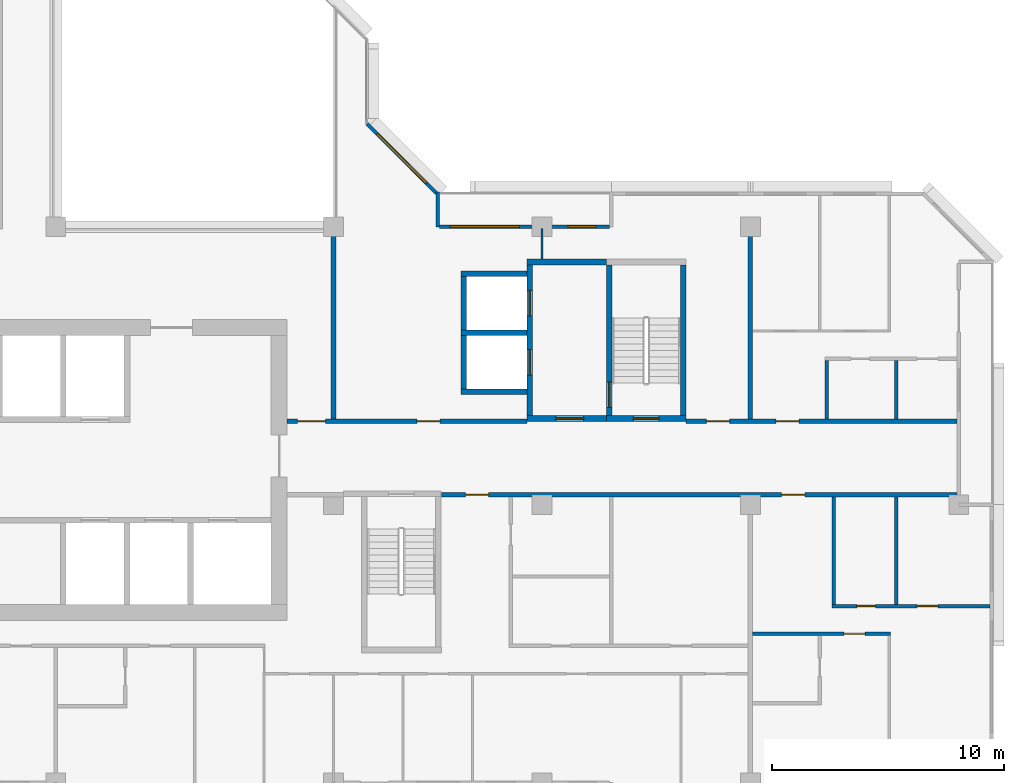
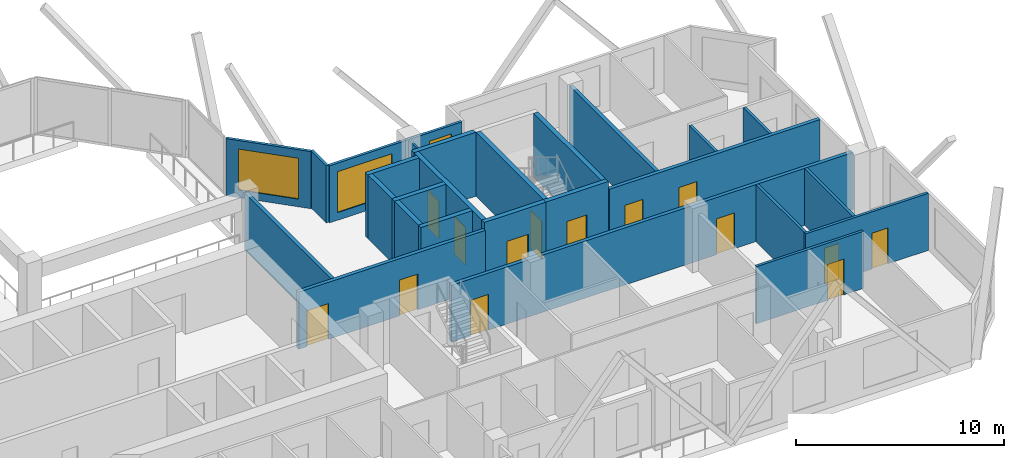
# One storey, part 7 of 14: 26 walls, 14 doors, 3 windows, 17 openings.
"""IFC4 building model written with IfcOpenShell, lengths in metres."""

from ifc_helpers import new_model, si_unit, direction, frame, frame_2d, origin, place, context, subcontext, project, spatial, rectangle, extrude, material, layer, layer_set, type_object, element, fill, save


model = new_model("IFC4")

# Units and contexts
model_context = context("Model", 3, precision=1e-05, world=origin(), true_north=direction((0.0, 1.0)))
body_context = subcontext(model_context, "Body", "Model", "MODEL_VIEW")
ifc_project = project(units=[si_unit("LENGTHUNIT", "METRE"), si_unit("AREAUNIT", "SQUARE_METRE"), si_unit("VOLUMEUNIT", "CUBIC_METRE"), si_unit("PLANEANGLEUNIT", "RADIAN"), si_unit("MASSUNIT", "GRAM", prefix="KILO")], contexts=[model_context])

# Site, building, storey
site_placement = place(None, origin())
site = spatial("IfcSite", under=ifc_project, at=site_placement, CompositionType="ELEMENT")
building_placement = place(site_placement, origin())
building = spatial("IfcBuilding", under=site, at=building_placement, Name="Chenar Terraces", CompositionType="ELEMENT")
storey_placement = place(building_placement, frame((0.0, 0.0, 226.64990234375)))
storey = spatial("IfcBuildingStorey", under=building, at=storey_placement, Name="L53", CompositionType="ELEMENT", Elevation=226.64990234375)

# Wall, opening, door
ifc_material_1 = material(Name="Concrete C60/75", Category="concrete")
ifc_layer_1 = layer(ifc_material_1, 0.25)
ifc_layer_set_1 = layer_set([ifc_layer_1], Name="Concrete C60/75")
wall_type_1 = type_object("IfcWallType", Name="Core wall 250 Concrete C60/75", PredefinedType="SHEAR", material=ifc_layer_set_1)
wall_1_placement = place(storey_placement, frame((47.77490234375, 15.72509765625, 0.0), z_axis=(0.0, 0.0, 1.0), x_axis=(1.0, 0.0, 0.0)))
wall_1 = element("IfcWall", 1, at=wall_1_placement, inside=storey, type_object=wall_type_1, Name="Core wall ST3_S L53", PredefinedType="SHEAR", context=body_context, shape_type="SweptSolid", body=[
    extrude(rectangle(XDim=3.4501953125, YDim=0.25, at=frame_2d((1.72509765625, 0.0))), origin(), (0.0, 0.0, 1.0), 3.75),
])
opening_1_placement = place(wall_1_placement, frame((1.175048828125, 0.0, 0.0)))
opening_1 = element("IfcOpeningElement", 2, at=opening_1_placement, cuts=wall_1, Name="Opening DL53-C8", PredefinedType="OPENING", context=body_context, shape_type="SweptSolid", body=[
    extrude(rectangle(XDim=1.10009765625, YDim=2.199951171875, at=frame_2d((0.550048828125, 1.10009765625))), frame((0.0, 0.135009765625, 0.0), z_axis=(0.0, -1.0, 0.0), x_axis=(1.0, 0.0, 0.0)), (0.0, 0.0, 1.0), 0.27001953125),
])
ifc_material_2 = material(Name="Steel-framed fire-resisting door leaf", Category="steel")
door_type_1 = type_object("IfcDoorType", Name="Stair fire door FD60 1100 x 2200", OperationType="SINGLE_SWING_LEFT", PredefinedType="DOOR", material=ifc_material_2)
door_1_placement = place(opening_1_placement, frame((1.10009765625, 0.0, 0.0), z_axis=(0.0, 0.0, 1.0), x_axis=(-1.0, 0.0, 0.0)))
door_1 = element("IfcDoor", 3, at=door_1_placement, inside=storey, type_object=door_type_1, Name="Stair door DL53-C8", OperationType="SINGLE_SWING_LEFT", OverallHeight=2.199951171875, OverallWidth=1.10009765625, PredefinedType="DOOR", context=body_context, shape_type="SweptSolid", body=[
    extrude(rectangle(XDim=1.10009765625, YDim=2.199951171875, at=frame_2d((0.550048828125, 1.10009765625))), frame((0.0, 0.02490234375, 0.0), z_axis=(0.0, -1.0, 0.0), x_axis=(1.0, 0.0, 0.0)), (0.0, 0.0, 1.0), 0.050048828125),
])
fill(opening_1, door_1)

wall_2_placement = place(storey_placement, frame((47.89990234375, 15.85009765625, 0.0), z_axis=(0.0, 0.0, 1.0), x_axis=(0.0, 1.0, 0.0)))
wall_2 = element("IfcWall", 4, at=wall_2_placement, inside=storey, type_object=wall_type_1, Name="Core wall ST3_W L53", PredefinedType="SHEAR", context=body_context, shape_type="SweptSolid", body=[
    extrude(rectangle(XDim=6.5, YDim=0.25, at=frame_2d((3.25, 0.0))), origin(), (0.0, 0.0, 1.0), 3.75),
])
opening_2_placement = place(wall_2_placement, frame((0.35009765625, 0.0, 0.0)))
opening_2 = element("IfcOpeningElement", 5, at=opening_2_placement, cuts=wall_2, Name="Opening DL53-C11", PredefinedType="OPENING", context=body_context, shape_type="SweptSolid", body=[
    extrude(rectangle(XDim=1.10009765625, YDim=2.199951171875, at=frame_2d((0.550048828125, 1.10009765625))), frame((0.0, 0.135009765625, 0.0), z_axis=(0.0, -1.0, 0.0), x_axis=(1.0, 0.0, 0.0)), (0.0, 0.0, 1.0), 0.27001953125),
])
door_2_placement = place(opening_2_placement, frame((1.10009765625, 0.0, 0.0), z_axis=(0.0, 0.0, 1.0), x_axis=(-1.0, 0.0, 0.0)))
door_2 = element("IfcDoor", 6, at=door_2_placement, inside=storey, type_object=door_type_1, Name="Stair door DL53-C11", OperationType="SINGLE_SWING_RIGHT", OverallHeight=2.199951171875, OverallWidth=1.10009765625, PredefinedType="DOOR", context=body_context, shape_type="SweptSolid", body=[
    extrude(rectangle(XDim=1.10009765625, YDim=2.199951171875, at=frame_2d((0.550048828125, 1.10009765625))), frame((0.0, 0.02490234375, 0.0), z_axis=(0.0, -1.0, 0.0), x_axis=(1.0, 0.0, 0.0)), (0.0, 0.0, 1.0), 0.050048828125),
])
fill(opening_2, door_2)

# Wall
wall_3_placement = place(storey_placement, frame((51.10009765625, 15.85009765625, 0.0), z_axis=(0.0, 0.0, 1.0), x_axis=(0.0, 1.0, 0.0)))
element("IfcWall", 7, at=wall_3_placement, inside=storey, type_object=wall_type_1, Name="Core wall ST3_E L53", PredefinedType="SHEAR", context=body_context, shape_type="SweptSolid", body=[
    extrude(rectangle(XDim=6.5, YDim=0.25, at=frame_2d((3.25, 0.0))), origin(), (0.0, 0.0, 1.0), 3.75),
])

# Wall, opening, door
wall_4_placement = place(storey_placement, frame((44.35009765625, 15.72509765625, 0.0), z_axis=(0.0, 0.0, 1.0), x_axis=(1.0, 0.0, 0.0)))
wall_4 = element("IfcWall", 8, at=wall_4_placement, inside=storey, type_object=wall_type_1, Name="Core wall F3_LS L53", PredefinedType="SHEAR", context=body_context, shape_type="SweptSolid", body=[
    extrude(rectangle(XDim=3.4248046875, YDim=0.25, at=frame_2d((1.71240234375, 0.0))), origin(), (0.0, 0.0, 1.0), 3.75),
])
opening_3_placement = place(wall_4_placement, frame((1.25, 0.0, 0.0)))
opening_3 = element("IfcOpeningElement", 9, at=opening_3_placement, cuts=wall_4, Name="Opening DL53-C10", PredefinedType="OPENING", context=body_context, shape_type="SweptSolid", body=[
    extrude(rectangle(XDim=1.199951171875, YDim=2.199951171875, at=frame_2d((0.60009765625, 1.10009765625))), frame((0.0, 0.135009765625, 0.0), z_axis=(0.0, -1.0, 0.0), x_axis=(1.0, 0.0, 0.0)), (0.0, 0.0, 1.0), 0.27001953125),
])
ifc_material_3 = material(Name="Steel-framed fire-resisting door leaf", Category="steel")
door_type_2 = type_object("IfcDoorType", Name="Lobby fire door FD60 1200 x 2200", OperationType="SINGLE_SWING_LEFT", PredefinedType="DOOR", material=ifc_material_3)
door_3_placement = place(opening_3_placement, origin())
door_3 = element("IfcDoor", 10, at=door_3_placement, inside=storey, type_object=door_type_2, Name="Core door DL53-C10", OperationType="SINGLE_SWING_RIGHT", OverallHeight=2.199951171875, OverallWidth=1.199951171875, PredefinedType="DOOR", context=body_context, shape_type="SweptSolid", body=[
    extrude(rectangle(XDim=1.199951171875, YDim=2.199951171875, at=frame_2d((0.60009765625, 1.10009765625))), frame((0.0, 0.02490234375, 0.0), z_axis=(0.0, -1.0, 0.0), x_axis=(1.0, 0.0, 0.0)), (0.0, 0.0, 1.0), 0.050048828125),
])
fill(opening_3, door_3)

# Wall
wall_5_placement = place(storey_placement, frame((44.35009765625, 22.47509765625, 0.0), z_axis=(0.0, 0.0, 1.0), x_axis=(1.0, 0.0, 0.0)))
element("IfcWall", 11, at=wall_5_placement, inside=storey, type_object=wall_type_1, Name="Core wall F3_LN L53", PredefinedType="SHEAR", context=body_context, shape_type="SweptSolid", body=[
    extrude(rectangle(XDim=3.4248046875, YDim=0.25, at=frame_2d((1.71240234375, 0.0))), origin(), (0.0, 0.0, 1.0), 3.75),
])

# Wall, openings, doors
wall_6_placement = place(storey_placement, frame((44.47509765625, 15.85009765625, 0.0), z_axis=(0.0, 0.0, 1.0), x_axis=(0.0, 1.0, 0.0)))
wall_6 = element("IfcWall", 12, at=wall_6_placement, inside=storey, type_object=wall_type_1, Name="Core wall F3_LW L53", PredefinedType="SHEAR", context=body_context, shape_type="SweptSolid", body=[
    extrude(rectangle(XDim=6.5, YDim=0.25, at=frame_2d((3.25, 0.0))), origin(), (0.0, 0.0, 1.0), 3.75),
])
opening_4_placement = place(wall_6_placement, frame((1.75, 0.0, 0.0)))
opening_4 = element("IfcOpeningElement", 13, at=opening_4_placement, cuts=wall_6, Name="Opening DL53-LD8", PredefinedType="OPENING", context=body_context, shape_type="SweptSolid", body=[
    extrude(rectangle(XDim=1.10009765625, YDim=2.199951171875, at=frame_2d((0.550048828125, 1.10009765625))), frame((0.0, 0.135009765625, 0.0), z_axis=(0.0, -1.0, 0.0), x_axis=(1.0, 0.0, 0.0)), (0.0, 0.0, 1.0), 0.27001953125),
])
opening_5_placement = place(wall_6_placement, frame((4.300048828125, 0.0, 0.0)))
opening_5 = element("IfcOpeningElement", 14, at=opening_5_placement, cuts=wall_6, Name="Opening DL53-LD9", PredefinedType="OPENING", context=body_context, shape_type="SweptSolid", body=[
    extrude(rectangle(XDim=1.10009765625, YDim=2.199951171875, at=frame_2d((0.550048828125, 1.10009765625))), frame((0.0, 0.135009765625, 0.0), z_axis=(0.0, -1.0, 0.0), x_axis=(1.0, 0.0, 0.0)), (0.0, 0.0, 1.0), 0.27001953125),
])
ifc_material_4 = material(Name="Stainless steel", Category="steel")
door_type_3 = type_object("IfcDoorType", Name="Lift landing door 1100 x 2200 sliding", OperationType="DOUBLE_DOOR_SLIDING", PredefinedType="DOOR", material=ifc_material_4)
door_4_placement = place(opening_4_placement, origin())
door_4 = element("IfcDoor", 15, at=door_4_placement, inside=storey, type_object=door_type_3, Name="Landing door F3", OperationType="DOUBLE_DOOR_SLIDING", OverallHeight=2.199951171875, OverallWidth=1.10009765625, PredefinedType="DOOR", context=body_context, shape_type="SweptSolid", body=[
    extrude(rectangle(XDim=1.10009765625, YDim=2.199951171875, at=frame_2d((0.550048828125, 1.10009765625))), frame((0.0, 0.02490234375, 0.0), z_axis=(0.0, -1.0, 0.0), x_axis=(1.0, 0.0, 0.0)), (0.0, 0.0, 1.0), 0.050048828125),
])
fill(opening_4, door_4)
door_5_placement = place(opening_5_placement, origin())
door_5 = element("IfcDoor", 16, at=door_5_placement, inside=storey, type_object=door_type_3, Name="Landing door F4", OperationType="DOUBLE_DOOR_SLIDING", OverallHeight=2.199951171875, OverallWidth=1.10009765625, PredefinedType="DOOR", context=body_context, shape_type="SweptSolid", body=[
    extrude(rectangle(XDim=1.10009765625, YDim=2.199951171875, at=frame_2d((0.550048828125, 1.10009765625))), frame((0.0, 0.02490234375, 0.0), z_axis=(0.0, -1.0, 0.0), x_axis=(1.0, 0.0, 0.0)), (0.0, 0.0, 1.0), 0.050048828125),
])
fill(opening_5, door_5)

# Walls
for number, where, z_axis, x_axis, name in (
    (17, (41.5, 16.875, 0.0), (0.0, 0.0, 1.0), (1.0, 0.0, 0.0), "Core wall F3_SS L53"),
    (18, (41.5, 19.425048828125, 0.0), (0.0, 0.0, 1.0), (1.0, 0.0, 0.0), "Core wall F3_SM L53"),
    (19, (41.5, 21.97509765625, 0.0), (0.0, 0.0, 1.0), (1.0, 0.0, 0.0), "Core wall F4_SN L53"),
):
    element("IfcWall", number, at=place(storey_placement, frame(where, z_axis=z_axis, x_axis=x_axis)), inside=storey, type_object=wall_type_1, Name=name, PredefinedType="SHEAR", context=body_context, shape_type="SweptSolid", body=[
        extrude(rectangle(XDim=2.85009765625, YDim=0.25, at=frame_2d((1.425048828125, 0.0))), origin(), (0.0, 0.0, 1.0), 3.75),
    ])
for number, where, z_axis, x_axis, name in (
    (20, (41.625, 17.0, 0.0), (0.0, 0.0, 1.0), (0.0, 1.0, 0.0), "Core wall F3_SW L53"),
    (21, (41.625, 19.550048828125, 0.0), (0.0, 0.0, 1.0), (0.0, 1.0, 0.0), "Core wall F4_SW L53"),
):
    element("IfcWall", number, at=place(storey_placement, frame(where, z_axis=z_axis, x_axis=x_axis)), inside=storey, type_object=wall_type_1, Name=name, PredefinedType="SHEAR", context=body_context, shape_type="SweptSolid", body=[
        extrude(rectangle(XDim=2.300048828125, YDim=0.25, at=frame_2d((1.14990234375, 0.0))), origin(), (0.0, 0.0, 1.0), 3.75),
    ])

# Wall, openings, doors
ifc_material_5 = material(Name="Gypsum board on steel studs with fire boards", Category="steel")
ifc_layer_2 = layer(ifc_material_5, 0.199951171875)
ifc_layer_set_2 = layer_set([ifc_layer_2], Name="Gypsum board on steel studs with fire boards")
wall_type_2 = type_object("IfcWallType", Name="Corridor wall 200", PredefinedType="PARTITIONING", material=ifc_layer_set_2)
wall_7_placement = place(storey_placement, frame((34.0, 15.60009765625, 0.0), z_axis=(0.0, 0.0, 1.0), x_axis=(1.0, 0.0, 0.0)))
wall_7 = element("IfcWall", 22, at=wall_7_placement, inside=storey, type_object=wall_type_2, Name="Partition L53-059", PredefinedType="PARTITIONING", context=body_context, shape_type="SweptSolid", body=[
    extrude(rectangle(XDim=10.35009765625, YDim=0.199951171875, at=frame_2d((5.175048828125, 0.0))), origin(), (0.0, 0.0, 1.0), 3.35009765625),
])
opening_6_placement = place(wall_7_placement, frame((5.60009765625, 0.0, 0.0)))
opening_6 = element("IfcOpeningElement", 23, at=opening_6_placement, cuts=wall_7, Name="Opening DL53-3", PredefinedType="OPENING", context=body_context, shape_type="SweptSolid", body=[
    extrude(rectangle(XDim=1.0, YDim=2.10009765625, at=frame_2d((0.5, 1.050048828125))), frame((0.0, 0.10986328125, 0.0), z_axis=(0.0, -1.0, 0.0), x_axis=(1.0, 0.0, 0.0)), (0.0, 0.0, 1.0), 0.219970703125),
])
opening_7_placement = place(wall_7_placement, frame((0.449951171875, 0.0, 0.0)))
opening_7 = element("IfcOpeningElement", 24, at=opening_7_placement, cuts=wall_7, Name="Opening DL53-38", PredefinedType="OPENING", context=body_context, shape_type="SweptSolid", body=[
    extrude(rectangle(XDim=1.199951171875, YDim=2.10009765625, at=frame_2d((0.60009765625, 1.050048828125))), frame((0.0, 0.10986328125, 0.0), z_axis=(0.0, -1.0, 0.0), x_axis=(1.0, 0.0, 0.0)), (0.0, 0.0, 1.0), 0.219970703125),
])
ifc_material_6 = material(Name="Steel-framed fire-resisting door leaf", Category="steel")
door_type_4 = type_object("IfcDoorType", Name="Fire door FD60 1000 x 2100", OperationType="SINGLE_SWING_LEFT", PredefinedType="DOOR", material=ifc_material_6)
door_6_placement = place(opening_6_placement, origin())
door_6 = element("IfcDoor", 25, at=door_6_placement, inside=storey, type_object=door_type_4, Name="Door DL53-3", OperationType="SINGLE_SWING_RIGHT", OverallHeight=2.10009765625, OverallWidth=1.0, PredefinedType="DOOR", context=body_context, shape_type="SweptSolid", body=[
    extrude(rectangle(XDim=1.0, YDim=2.10009765625, at=frame_2d((0.5, 1.050048828125))), frame((0.0, 0.02490234375, 0.0), z_axis=(0.0, -1.0, 0.0), x_axis=(1.0, 0.0, 0.0)), (0.0, 0.0, 1.0), 0.050048828125),
])
fill(opening_6, door_6)
ifc_material_7 = material(Name="Steel-framed fire-resisting door leaf", Category="steel")
door_type_5 = type_object("IfcDoorType", Name="Fire door FD60 1200 x 2100", OperationType="SINGLE_SWING_LEFT", PredefinedType="DOOR", material=ifc_material_7)
door_7_placement = place(opening_7_placement, origin())
door_7 = element("IfcDoor", 26, at=door_7_placement, inside=storey, type_object=door_type_5, Name="Door DL53-38", OperationType="SINGLE_SWING_RIGHT", OverallHeight=2.10009765625, OverallWidth=1.199951171875, PredefinedType="DOOR", context=body_context, shape_type="SweptSolid", body=[
    extrude(rectangle(XDim=1.199951171875, YDim=2.10009765625, at=frame_2d((0.60009765625, 1.050048828125))), frame((0.0, 0.02490234375, 0.0), z_axis=(0.0, -1.0, 0.0), x_axis=(1.0, 0.0, 0.0)), (0.0, 0.0, 1.0), 0.050048828125),
])
fill(opening_7, door_7)

# Wall
wall_8_placement = place(storey_placement, frame((36.0, 15.699951171875, 0.0), z_axis=(0.0, 0.0, 1.0), x_axis=(0.0, 1.0, 0.0)))
element("IfcWall", 27, at=wall_8_placement, inside=storey, type_object=wall_type_2, Name="Partition L53-061", PredefinedType="PARTITIONING", context=body_context, shape_type="SweptSolid", body=[
    extrude(rectangle(XDim=8.300048828125, YDim=0.199951171875, at=frame_2d((4.14990234375, 0.0))), origin(), (0.0, 0.0, 1.0), 3.35009765625),
])

# Wall, openings, doors
wall_9_placement = place(storey_placement, frame((40.64990234375, 12.425048828125, 0.0), z_axis=(0.0, 0.0, 1.0), x_axis=(1.0, 0.0, 0.0)))
wall_9 = element("IfcWall", 28, at=wall_9_placement, inside=storey, type_object=wall_type_2, Name="Partition L53-063", PredefinedType="PARTITIONING", context=body_context, shape_type="SweptSolid", body=[
    extrude(rectangle(XDim=22.276123046875, YDim=0.199951171875, at=frame_2d((11.13818359375, 0.0))), origin(), (0.0, 0.0, 1.0), 3.35009765625),
])
opening_8_placement = place(wall_9_placement, frame((14.699951171875, 0.0, 0.0)))
opening_8 = element("IfcOpeningElement", 29, at=opening_8_placement, cuts=wall_9, Name="Opening DL53-13", PredefinedType="OPENING", context=body_context, shape_type="SweptSolid", body=[
    extrude(rectangle(XDim=1.0, YDim=2.10009765625, at=frame_2d((0.5, 1.050048828125))), frame((0.0, 0.10986328125, 0.0), z_axis=(0.0, -1.0, 0.0), x_axis=(1.0, 0.0, 0.0)), (0.0, 0.0, 1.0), 0.219970703125),
])
opening_9_placement = place(wall_9_placement, frame((1.050048828125, 0.0, 0.0)))
opening_9 = element("IfcOpeningElement", 30, at=opening_9_placement, cuts=wall_9, Name="Opening DL53-56", PredefinedType="OPENING", context=body_context, shape_type="SweptSolid", body=[
    extrude(rectangle(XDim=1.0, YDim=2.10009765625, at=frame_2d((0.5, 1.050048828125))), frame((0.0, 0.10986328125, 0.0), z_axis=(0.0, -1.0, 0.0), x_axis=(1.0, 0.0, 0.0)), (0.0, 0.0, 1.0), 0.219970703125),
])
ifc_material_8 = material(Name="Steel-framed fire-resisting door leaf", Category="steel")
door_type_6 = type_object("IfcDoorType", Name="Fire door FD30S 1000 x 2100", OperationType="SINGLE_SWING_LEFT", PredefinedType="DOOR", material=ifc_material_8)
door_8_placement = place(opening_8_placement, frame((1.0, 0.0, 0.0), z_axis=(0.0, 0.0, 1.0), x_axis=(-1.0, 0.0, 0.0)))
door_8 = element("IfcDoor", 31, at=door_8_placement, inside=storey, type_object=door_type_6, Name="Door DL53-13", OperationType="SINGLE_SWING_RIGHT", OverallHeight=2.10009765625, OverallWidth=1.0, PredefinedType="DOOR", context=body_context, shape_type="SweptSolid", body=[
    extrude(rectangle(XDim=1.0, YDim=2.10009765625, at=frame_2d((0.5, 1.050048828125))), frame((0.0, 0.02490234375, 0.0), z_axis=(0.0, -1.0, 0.0), x_axis=(1.0, 0.0, 0.0)), (0.0, 0.0, 1.0), 0.050048828125),
])
fill(opening_8, door_8)
door_9_placement = place(opening_9_placement, origin())
door_9 = element("IfcDoor", 32, at=door_9_placement, inside=storey, type_object=door_type_6, Name="Door DL53-56", OperationType="SINGLE_SWING_LEFT", OverallHeight=2.10009765625, OverallWidth=1.0, PredefinedType="DOOR", context=body_context, shape_type="SweptSolid", body=[
    extrude(rectangle(XDim=1.0, YDim=2.10009765625, at=frame_2d((0.5, 1.050048828125))), frame((0.0, 0.02490234375, 0.0), z_axis=(0.0, -1.0, 0.0), x_axis=(1.0, 0.0, 0.0)), (0.0, 0.0, 1.0), 0.050048828125),
])
fill(opening_9, door_9)

wall_10_placement = place(storey_placement, frame((51.22509765625, 15.60009765625, 0.0), z_axis=(0.0, 0.0, 1.0), x_axis=(1.0, 0.0, 0.0)))
wall_10 = element("IfcWall", 33, at=wall_10_placement, inside=storey, type_object=wall_type_2, Name="Partition L53-071", PredefinedType="PARTITIONING", context=body_context, shape_type="SweptSolid", body=[
    extrude(rectangle(XDim=11.700927734375, YDim=0.199951171875, at=frame_2d((5.8505859375, 0.0))), origin(), (0.0, 0.0, 1.0), 3.35009765625),
])
opening_10_placement = place(wall_10_placement, frame((3.875, 0.0, 0.0)))
opening_10 = element("IfcOpeningElement", 34, at=opening_10_placement, cuts=wall_10, Name="Opening DL53-8", PredefinedType="OPENING", context=body_context, shape_type="SweptSolid", body=[
    extrude(rectangle(XDim=1.0, YDim=2.10009765625, at=frame_2d((0.5, 1.050048828125))), frame((0.0, 0.10986328125, 0.0), z_axis=(0.0, -1.0, 0.0), x_axis=(1.0, 0.0, 0.0)), (0.0, 0.0, 1.0), 0.219970703125),
])
opening_11_placement = place(wall_10_placement, frame((0.875, 0.0, 0.0)))
opening_11 = element("IfcOpeningElement", 35, at=opening_11_placement, cuts=wall_10, Name="Opening DL53-42", PredefinedType="OPENING", context=body_context, shape_type="SweptSolid", body=[
    extrude(rectangle(XDim=1.0, YDim=2.10009765625, at=frame_2d((0.5, 1.050048828125))), frame((0.0, 0.10986328125, 0.0), z_axis=(0.0, -1.0, 0.0), x_axis=(1.0, 0.0, 0.0)), (0.0, 0.0, 1.0), 0.219970703125),
])
door_10_placement = place(opening_10_placement, origin())
door_10 = element("IfcDoor", 36, at=door_10_placement, inside=storey, type_object=door_type_6, Name="Door DL53-8", OperationType="SINGLE_SWING_LEFT", OverallHeight=2.10009765625, OverallWidth=1.0, PredefinedType="DOOR", context=body_context, shape_type="SweptSolid", body=[
    extrude(rectangle(XDim=1.0, YDim=2.10009765625, at=frame_2d((0.5, 1.050048828125))), frame((0.0, 0.02490234375, 0.0), z_axis=(0.0, -1.0, 0.0), x_axis=(1.0, 0.0, 0.0)), (0.0, 0.0, 1.0), 0.050048828125),
])
fill(opening_10, door_10)
door_11_placement = place(opening_11_placement, origin())
door_11 = element("IfcDoor", 37, at=door_11_placement, inside=storey, type_object=door_type_6, Name="Door DL53-42", OperationType="SINGLE_SWING_RIGHT", OverallHeight=2.10009765625, OverallWidth=1.0, PredefinedType="DOOR", context=body_context, shape_type="SweptSolid", body=[
    extrude(rectangle(XDim=1.0, YDim=2.10009765625, at=frame_2d((0.5, 1.050048828125))), frame((0.0, 0.02490234375, 0.0), z_axis=(0.0, -1.0, 0.0), x_axis=(1.0, 0.0, 0.0)), (0.0, 0.0, 1.0), 0.050048828125),
])
fill(opening_11, door_11)

# Wall, openings, windows
ifc_material_9 = material(Name="Aluminium framed glazing", Category="aluminium")
ifc_layer_3 = layer(ifc_material_9, 0.14990234375)
ifc_layer_set_3 = layer_set([ifc_layer_3], Name="Aluminium framed glazing")
wall_type_3 = type_object("IfcWallType", Name="Glazed loggia back wall 150", PredefinedType="SOLIDWALL", material=ifc_layer_set_3)
wall_11_placement = place(storey_placement, frame((47.925048828125, 24.0, 0.0), z_axis=(0.0, 0.0, 1.0), x_axis=(-1.0, 0.0, 0.0)))
wall_11 = element("IfcWall", 38, at=wall_11_placement, inside=storey, type_object=wall_type_3, Name="Glazed loggia back wall", PredefinedType="SOLIDWALL", context=body_context, shape_type="SweptSolid", body=[
    extrude(rectangle(XDim=7.35009765625, YDim=0.14990234375, at=frame_2d((3.675048828125, 0.0))), origin(), (0.0, 0.0, 1.0), 3.35009765625),
])
opening_12_placement = place(wall_11_placement, frame((0.60009765625, 0.0, 0.449951171875)))
opening_12 = element("IfcOpeningElement", 39, at=opening_12_placement, cuts=wall_11, Name="Opening W120x240", PredefinedType="OPENING", context=body_context, shape_type="SweptSolid", body=[
    extrude(rectangle(XDim=1.199951171875, YDim=2.39990234375, at=frame_2d((0.60009765625, 1.199951171875))), frame((0.0, 0.0849609375, 0.0), z_axis=(0.0, -1.0, 0.0), x_axis=(1.0, 0.0, 0.0)), (0.0, 0.0, 1.0), 0.169921875),
])
opening_13_placement = place(wall_11_placement, frame((3.89990234375, 0.0, 0.449951171875)))
opening_13 = element("IfcOpeningElement", 40, at=opening_13_placement, cuts=wall_11, Name="Opening W300x240", PredefinedType="OPENING", context=body_context, shape_type="SweptSolid", body=[
    extrude(rectangle(XDim=3.0, YDim=2.39990234375, at=frame_2d((1.5, 1.199951171875))), frame((0.0, 0.0849609375, 0.0), z_axis=(0.0, -1.0, 0.0), x_axis=(1.0, 0.0, 0.0)), (0.0, 0.0, 1.0), 0.169921875),
])
ifc_material_10 = material(Name="Low emissivity double glazing, aluminium frame", Category="aluminium")
window_type_1 = type_object("IfcWindowType", Name="Fixed light 1200 x 2400", PartitioningType="SINGLE_PANEL", PredefinedType="WINDOW", material=ifc_material_10)
window_1_placement = place(opening_12_placement, origin())
window_1 = element("IfcWindow", 41, at=window_1_placement, inside=storey, type_object=window_type_1, Name="Window", OverallHeight=2.39990234375, OverallWidth=1.199951171875, PartitioningType="SINGLE_PANEL", PredefinedType="WINDOW", context=body_context, shape_type="SweptSolid", body=[
    extrude(rectangle(XDim=1.199951171875, YDim=2.39990234375, at=frame_2d((0.60009765625, 1.199951171875))), frame((0.0, 0.030029296875, 0.0), z_axis=(0.0, -1.0, 0.0), x_axis=(1.0, 0.0, 0.0)), (0.0, 0.0, 1.0), 0.06005859375),
])
fill(opening_12, window_1)
ifc_material_11 = material(Name="Low emissivity double glazing, aluminium frame", Category="aluminium")
window_type_2 = type_object("IfcWindowType", Name="Fixed light 3000 x 2400", PartitioningType="SINGLE_PANEL", PredefinedType="WINDOW", material=ifc_material_11)
window_2_placement = place(opening_13_placement, origin())
window_2 = element("IfcWindow", 42, at=window_2_placement, inside=storey, type_object=window_type_2, Name="Window", OverallHeight=2.39990234375, OverallWidth=3.0, PartitioningType="SINGLE_PANEL", PredefinedType="WINDOW", context=body_context, shape_type="SweptSolid", body=[
    extrude(rectangle(XDim=3.0, YDim=2.39990234375, at=frame_2d((1.5, 1.199951171875))), frame((0.0, 0.030029296875, 0.0), z_axis=(0.0, -1.0, 0.0), x_axis=(1.0, 0.0, 0.0)), (0.0, 0.0, 1.0), 0.06005859375),
])
fill(opening_13, window_2)

# Walls
ifc_material_12 = material(Name="Gypsum board on steel studs", Category="steel")
ifc_layer_4 = layer(ifc_material_12, 0.10009765625)
ifc_layer_set_4 = layer_set([ifc_layer_4], Name="Gypsum board on steel studs")
wall_type_4 = type_object("IfcWallType", Name="Gypsum partition 100", PredefinedType="PARTITIONING", material=ifc_layer_set_4)
wall_12_placement = place(storey_placement, frame((45.0, 22.60009765625, 0.0), z_axis=(0.0, 0.0, 1.0), x_axis=(0.0, 1.0, 0.0)))
element("IfcWall", 43, at=wall_12_placement, inside=storey, type_object=wall_type_4, Name="Partition L53-068", PredefinedType="PARTITIONING", context=body_context, shape_type="SweptSolid", body=[
    extrude(rectangle(XDim=1.325927734375, YDim=0.10009765625, at=frame_2d((0.6630859375, 0.0))), origin(), (0.0, 0.0, 1.0), 3.35009765625),
])
ifc_material_13 = material(Name="Terracotta cladding on insulated backing", Category="masonry")
ifc_layer_5 = layer(ifc_material_13, 0.14990234375)
ifc_layer_set_5 = layer_set([ifc_layer_5], Name="Terracotta cladding on insulated backing")
wall_type_5 = type_object("IfcWallType", Name="Loggia return wall 150", PredefinedType="SOLIDWALL", material=ifc_layer_set_5)
wall_13_placement = place(storey_placement, frame((40.5, 25.5, 0.0), z_axis=(0.0, 0.0, 1.0), x_axis=(0.0, -1.0, 0.0)))
element("IfcWall", 44, at=wall_13_placement, inside=storey, type_object=wall_type_5, Name="Loggia return wall", PredefinedType="SOLIDWALL", context=body_context, shape_type="SweptSolid", body=[
    extrude(rectangle(XDim=1.5, YDim=0.14990234375, at=frame_2d((0.75, 0.0))), origin(), (0.0, 0.0, 1.0), 3.35009765625),
])

# Wall, opening, window
ifc_material_14 = material(Name="Terracotta cladding on insulated backing", Category="masonry")
ifc_layer_6 = layer(ifc_material_14, 0.14990234375)
ifc_layer_set_6 = layer_set([ifc_layer_6], Name="Terracotta cladding on insulated backing")
wall_type_6 = type_object("IfcWallType", Name="Terracotta rainscreen wall 150", PredefinedType="SOLIDWALL", material=ifc_layer_set_6)
wall_14_placement = place(storey_placement, frame((40.447021484375, 25.447021484375, 0.0), z_axis=(0.0, 0.0, 1.0), x_axis=(-0.707106781187, 0.707106781187, 0.0)))
wall_14 = element("IfcWall", 45, at=wall_14_placement, inside=storey, type_object=wall_type_6, Name="Terracotta rainscreen wall", PredefinedType="SOLIDWALL", context=body_context, shape_type="SweptSolid", body=[
    extrude(rectangle(XDim=4.24267578125, YDim=0.14990234375, at=frame_2d((2.121337890625, 0.0))), origin(), (0.0, 0.0, 1.0), 3.35009765625),
])
opening_14_placement = place(wall_14_placement, frame((0.621337890625, 0.0, 0.449951171875)))
opening_14 = element("IfcOpeningElement", 46, at=opening_14_placement, cuts=wall_14, Name="Opening W300x240", PredefinedType="OPENING", context=body_context, shape_type="SweptSolid", body=[
    extrude(rectangle(XDim=3.0, YDim=2.39990234375, at=frame_2d((1.5, 1.199951171875))), frame((0.0, 0.0849609375, 0.0), z_axis=(0.0, -1.0, 0.0), x_axis=(1.0, 0.0, 0.0)), (0.0, 0.0, 1.0), 0.169921875),
])
window_3_placement = place(opening_14_placement, origin())
window_3 = element("IfcWindow", 47, at=window_3_placement, inside=storey, type_object=window_type_2, Name="Window", OverallHeight=2.39990234375, OverallWidth=3.0, PartitioningType="SINGLE_PANEL", PredefinedType="WINDOW", context=body_context, shape_type="SweptSolid", body=[
    extrude(rectangle(XDim=3.0, YDim=2.39990234375, at=frame_2d((1.5, 1.199951171875))), frame((0.0, 0.030029296875, 0.0), z_axis=(0.0, -1.0, 0.0), x_axis=(1.0, 0.0, 0.0)), (0.0, 0.0, 1.0), 0.06005859375),
])
fill(opening_14, window_3)

# Wall
ifc_material_15 = material(Name="Twin gypsum board on steel studs with mineral wool", Category="steel")
ifc_layer_7 = layer(ifc_material_15, 0.199951171875)
ifc_layer_set_7 = layer_set([ifc_layer_7], Name="Twin gypsum board on steel studs with mineral wool")
wall_type_7 = type_object("IfcWallType", Name="Unit demising wall 200", PredefinedType="PARTITIONING", material=ifc_layer_set_7)
wall_15_placement = place(storey_placement, frame((54.0, 15.699951171875, 0.0), z_axis=(0.0, 0.0, 1.0), x_axis=(0.0, 1.0, 0.0)))
element("IfcWall", 48, at=wall_15_placement, inside=storey, type_object=wall_type_7, Name="Partition L53-073", PredefinedType="PARTITIONING", context=body_context, shape_type="SweptSolid", body=[
    extrude(rectangle(XDim=8.300048828125, YDim=0.199951171875, at=frame_2d((4.14990234375, 0.0))), origin(), (0.0, 0.0, 1.0), 3.35009765625),
])

# Wall, opening, door
ifc_material_16 = material(Name="Moisture-resistant gypsum board on steel studs", Category="steel")
ifc_layer_8 = layer(ifc_material_16, 0.14990234375)
ifc_layer_set_8 = layer_set([ifc_layer_8], Name="Moisture-resistant gypsum board on steel studs")
wall_type_8 = type_object("IfcWallType", Name="Wet-room partition 150", PredefinedType="PARTITIONING", material=ifc_layer_set_8)
wall_16_placement = place(storey_placement, frame((54.10009765625, 6.425048828125, 0.0), z_axis=(0.0, 0.0, 1.0), x_axis=(1.0, 0.0, 0.0)))
wall_16 = element("IfcWall", 49, at=wall_16_placement, inside=storey, type_object=wall_type_8, Name="Partition L53-075", PredefinedType="PARTITIONING", context=body_context, shape_type="SweptSolid", body=[
    extrude(rectangle(XDim=5.949951171875, YDim=0.14990234375, at=frame_2d((2.97509765625, 0.0))), origin(), (0.0, 0.0, 1.0), 3.35009765625),
])
opening_15_placement = place(wall_16_placement, frame((3.949951171875, 0.0, 0.0)))
opening_15 = element("IfcOpeningElement", 50, at=opening_15_placement, cuts=wall_16, Name="Opening DL53-10", PredefinedType="OPENING", context=body_context, shape_type="SweptSolid", body=[
    extrude(rectangle(XDim=0.89990234375, YDim=2.10009765625, at=frame_2d((0.449951171875, 1.050048828125))), frame((0.0, 0.0849609375, 0.0), z_axis=(0.0, -1.0, 0.0), x_axis=(1.0, 0.0, 0.0)), (0.0, 0.0, 1.0), 0.169921875),
])
ifc_material_17 = material(Name="Veneered timber door leaf", Category="wood")
door_type_7 = type_object("IfcDoorType", Name="Door 900 x 2100", OperationType="SINGLE_SWING_LEFT", PredefinedType="DOOR", material=ifc_material_17)
door_12_placement = place(opening_15_placement, frame((0.89990234375, 0.0, 0.0), z_axis=(0.0, 0.0, 1.0), x_axis=(-1.0, 0.0, 0.0)))
door_12 = element("IfcDoor", 51, at=door_12_placement, inside=storey, type_object=door_type_7, Name="Door DL53-10", OperationType="SINGLE_SWING_LEFT", OverallHeight=2.10009765625, OverallWidth=0.89990234375, PredefinedType="DOOR", context=body_context, shape_type="SweptSolid", body=[
    extrude(rectangle(XDim=0.89990234375, YDim=2.10009765625, at=frame_2d((0.449951171875, 1.050048828125))), frame((0.0, 0.02490234375, 0.0), z_axis=(0.0, -1.0, 0.0), x_axis=(1.0, 0.0, 0.0)), (0.0, 0.0, 1.0), 0.050048828125),
])
fill(opening_15, door_12)

# Wall
wall_17_placement = place(storey_placement, frame((57.300048828125, 15.699951171875, 0.0), z_axis=(0.0, 0.0, 1.0), x_axis=(0.0, 1.0, 0.0)))
element("IfcWall", 52, at=wall_17_placement, inside=storey, type_object=wall_type_8, Name="Partition L53-080", PredefinedType="PARTITIONING", context=body_context, shape_type="SweptSolid", body=[
    extrude(rectangle(XDim=2.525146484375, YDim=0.14990234375, at=frame_2d((1.2626953125, 0.0))), origin(), (0.0, 0.0, 1.0), 3.35009765625),
])

# Wall, openings, doors
wall_18_placement = place(storey_placement, frame((57.52490234375, 7.625, 0.0), z_axis=(0.0, 0.0, 1.0), x_axis=(1.0, 0.0, 0.0)))
wall_18 = element("IfcWall", 53, at=wall_18_placement, inside=storey, type_object=wall_type_8, Name="Partition L53-081", PredefinedType="PARTITIONING", context=body_context, shape_type="SweptSolid", body=[
    extrude(rectangle(XDim=6.8251953125, YDim=0.14990234375, at=frame_2d((3.41259765625, 0.0))), origin(), (0.0, 0.0, 1.0), 3.35009765625),
])
opening_16_placement = place(wall_18_placement, frame((1.074951171875, 0.0, 0.0)))
opening_16 = element("IfcOpeningElement", 54, at=opening_16_placement, cuts=wall_18, Name="Opening DL53-9", PredefinedType="OPENING", context=body_context, shape_type="SweptSolid", body=[
    extrude(rectangle(XDim=0.800048828125, YDim=2.10009765625, at=frame_2d((0.39990234375, 1.050048828125))), frame((0.0, 0.0849609375, 0.0), z_axis=(0.0, -1.0, 0.0), x_axis=(1.0, 0.0, 0.0)), (0.0, 0.0, 1.0), 0.169921875),
])
opening_17_placement = place(wall_18_placement, frame((3.675048828125, 0.0, 0.0)))
opening_17 = element("IfcOpeningElement", 55, at=opening_17_placement, cuts=wall_18, Name="Opening DL53-12", PredefinedType="OPENING", context=body_context, shape_type="SweptSolid", body=[
    extrude(rectangle(XDim=0.89990234375, YDim=2.10009765625, at=frame_2d((0.449951171875, 1.050048828125))), frame((0.0, 0.0849609375, 0.0), z_axis=(0.0, -1.0, 0.0), x_axis=(1.0, 0.0, 0.0)), (0.0, 0.0, 1.0), 0.169921875),
])
ifc_material_18 = material(Name="Veneered timber door leaf", Category="wood")
door_type_8 = type_object("IfcDoorType", Name="Door 800 x 2100", OperationType="SINGLE_SWING_LEFT", PredefinedType="DOOR", material=ifc_material_18)
door_13_placement = place(opening_16_placement, origin())
door_13 = element("IfcDoor", 56, at=door_13_placement, inside=storey, type_object=door_type_8, Name="Door DL53-9", OperationType="SINGLE_SWING_RIGHT", OverallHeight=2.10009765625, OverallWidth=0.800048828125, PredefinedType="DOOR", context=body_context, shape_type="SweptSolid", body=[
    extrude(rectangle(XDim=0.800048828125, YDim=2.10009765625, at=frame_2d((0.39990234375, 1.050048828125))), frame((0.0, 0.02490234375, 0.0), z_axis=(0.0, -1.0, 0.0), x_axis=(1.0, 0.0, 0.0)), (0.0, 0.0, 1.0), 0.050048828125),
])
fill(opening_16, door_13)
door_14_placement = place(opening_17_placement, origin())
door_14 = element("IfcDoor", 57, at=door_14_placement, inside=storey, type_object=door_type_7, Name="Door DL53-12", OperationType="SINGLE_SWING_LEFT", OverallHeight=2.10009765625, OverallWidth=0.89990234375, PredefinedType="DOOR", context=body_context, shape_type="SweptSolid", body=[
    extrude(rectangle(XDim=0.89990234375, YDim=2.10009765625, at=frame_2d((0.449951171875, 1.050048828125))), frame((0.0, 0.02490234375, 0.0), z_axis=(0.0, -1.0, 0.0), x_axis=(1.0, 0.0, 0.0)), (0.0, 0.0, 1.0), 0.050048828125),
])
fill(opening_17, door_14)

# Walls
for number, where, z_axis, x_axis, name in (
    (58, (57.60009765625, 7.699951171875, 0.0), (0.0, 0.0, 1.0), (0.0, 1.0, 0.0), "Partition L53-082"),
    (59, (60.300048828125, 7.699951171875, 0.0), (0.0, 0.0, 1.0), (0.0, 1.0, 0.0), "Partition L53-085"),
):
    element("IfcWall", number, at=place(storey_placement, frame(where, z_axis=z_axis, x_axis=x_axis)), inside=storey, type_object=wall_type_8, Name=name, PredefinedType="PARTITIONING", context=body_context, shape_type="SweptSolid", body=[
        extrude(rectangle(XDim=4.625, YDim=0.14990234375, at=frame_2d((2.3125, 0.0))), origin(), (0.0, 0.0, 1.0), 3.35009765625),
    ])
wall_19_placement = place(storey_placement, frame((60.300048828125, 15.699951171875, 0.0), z_axis=(0.0, 0.0, 1.0), x_axis=(0.0, 1.0, 0.0)))
element("IfcWall", 60, at=wall_19_placement, inside=storey, type_object=wall_type_8, Name="Partition L53-086", PredefinedType="PARTITIONING", context=body_context, shape_type="SweptSolid", body=[
    extrude(rectangle(XDim=2.525146484375, YDim=0.14990234375, at=frame_2d((1.2626953125, 0.0))), origin(), (0.0, 0.0, 1.0), 3.35009765625),
])

save(model, "model.ifc")
